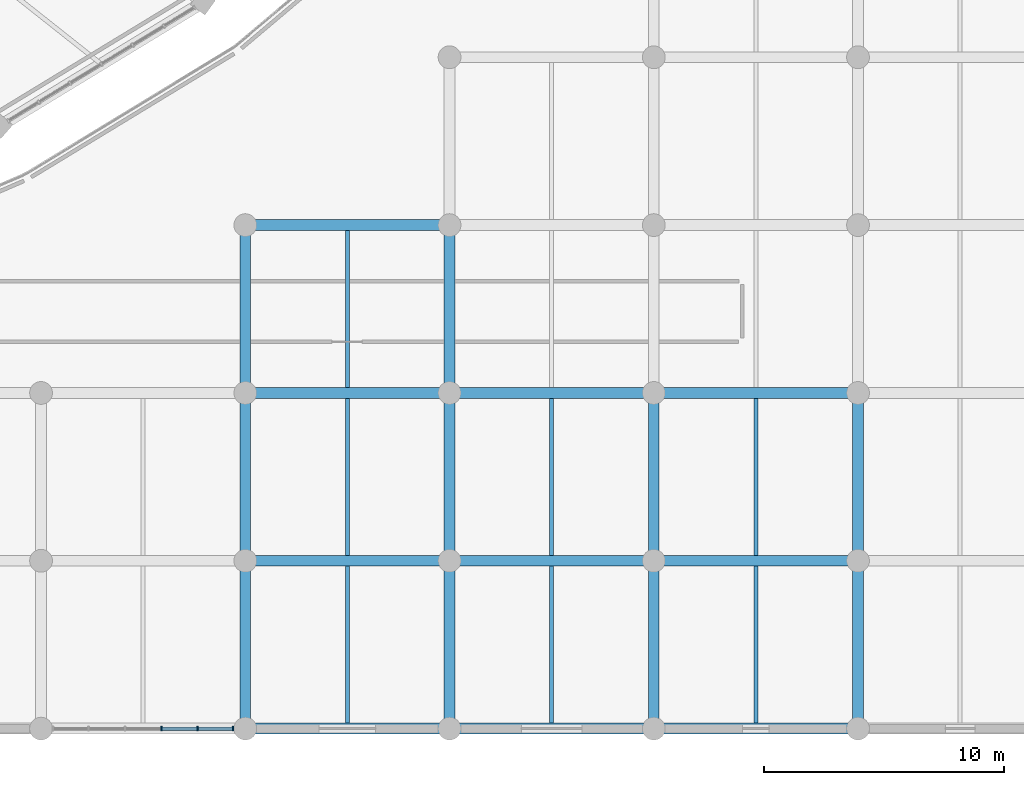
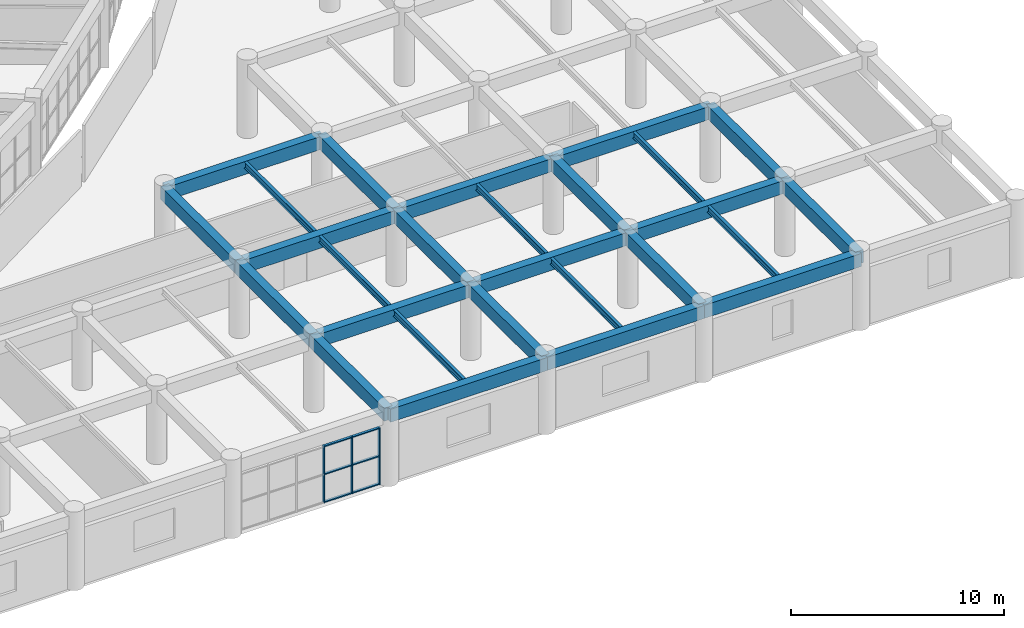
# One storey, part 37 of 141: 27 beams, 9 members, 1 element without a shape of its own.
"""IFC4 building model written with IfcOpenShell, lengths in metres."""

from ifc_helpers import new_model, si_unit, direction, frame, origin, origin_2d, place, context, subcontext, project, spatial, rectangle, i_section, extrude, material, layer, layer_set, material_profile, profile_set, type_object, element, aggregate, save


model = new_model("IFC4")

# Units and contexts
model_context = context("Model", 3, precision=1e-05, world=origin(), true_north=direction((0.0, 1.0)))
body_context = subcontext(model_context, "Body", "Model", "MODEL_VIEW")
ifc_project = project(units=[si_unit("LENGTHUNIT", "METRE"), si_unit("AREAUNIT", "SQUARE_METRE"), si_unit("VOLUMEUNIT", "CUBIC_METRE"), si_unit("PLANEANGLEUNIT", "RADIAN"), si_unit("MASSUNIT", "GRAM", prefix="KILO")], contexts=[model_context])

# Site, building, storey
site_placement = place(None, origin())
site = spatial("IfcSite", under=ifc_project, at=site_placement, CompositionType="ELEMENT")
building_placement = place(site_placement, origin())
building = spatial("IfcBuilding", under=site, at=building_placement, Name="Mphavela Belvedere Stadium", CompositionType="ELEMENT")
storey_placement = place(building_placement, frame((0.0, 0.0, 14.699951171875)))
storey = spatial("IfcBuildingStorey", under=building, at=storey_placement, Name="L03", CompositionType="ELEMENT", Elevation=14.699951171875)

# Beams
ifc_material_1 = material(Name="Steel S355", Category="steel")
ifc_material_profile_1 = material_profile(ifc_material_1, i_section(OverallWidth=0.169921875, OverallDepth=0.360107421875, WebThickness=0.008056640625, FlangeThickness=0.0126953125, at=origin_2d()), Name="IPE 360")
ifc_profile_set_1 = profile_set([ifc_material_profile_1], Name="Steel S355")
beam_type_1 = type_object("IfcBeamType", Name="BM-JOIST-IPE360", PredefinedType="JOIST", material=ifc_profile_set_1)
for number, where, z_axis, x_axis, name in (
    (1, (200.18505859375, 0.22509765625, 4.06005859375), (0.0, 1.0, 0.0), (-1.0, 0.0, 0.0), "South Axial Triumphal Peristyle Portico secondary joist L03 24-1"),
    (2, (200.18505859375, 7.22509765625, 4.06005859375), (0.0, 1.0, 0.0), (-1.0, 0.0, 0.0), "South Axial Triumphal Peristyle Portico secondary joist L03 24-2"),
    (3, (200.18505859375, 14.22509765625, 4.06005859375), (0.0, 1.0, 0.0), (-1.0, 0.0, 0.0), "South Axial Triumphal Peristyle Portico secondary joist L03 24-3"),
    (4, (208.70361328125, 0.22509765625, 4.06005859375), (0.0, 1.0, 0.0), (-1.0, 0.0, 0.0), "South Axial Triumphal Peristyle Portico secondary joist L03 25-1"),
    (5, (208.70361328125, 7.22509765625, 4.06005859375), (0.0, 1.0, 0.0), (-1.0, 0.0, 0.0), "South Axial Triumphal Peristyle Portico secondary joist L03 25-2"),
    (6, (217.221923828125, 0.22509765625, 4.06005859375), (0.0, 1.0, 0.0), (-1.0, 0.0, 0.0), "South Axial Triumphal Peristyle Portico secondary joist L03 26-1"),
    (7, (217.221923828125, 7.22509765625, 4.06005859375), (0.0, 1.0, 0.0), (-1.0, 0.0, 0.0), "South Axial Triumphal Peristyle Portico secondary joist L03 26-2"),
):
    element("IfcBeam", number, at=place(storey_placement, frame(where, z_axis=z_axis, x_axis=x_axis)), inside=storey, type_object=beam_type_1, Name=name, PredefinedType="JOIST", context=body_context, shape_type="SweptSolid", body=[
        extrude(i_section(OverallWidth=0.169921875, OverallDepth=0.360107421875, WebThickness=0.008056640625, FlangeThickness=0.0126953125, at=origin_2d()), origin(), (0.0, 0.0, 1.0), 6.5498046875),
    ])
ifc_material_2 = material(Name="Concrete C40/50", Category="concrete")
ifc_material_profile_2 = material_profile(ifc_material_2, rectangle(XDim=0.449951171875, YDim=0.75, at=origin_2d()), Name="RC 450x750")
ifc_profile_set_2 = profile_set([ifc_material_profile_2], Name="Concrete C40/50")
beam_type_2 = type_object("IfcBeamType", Name="BM-RC450x750", PredefinedType="BEAM", material=ifc_profile_set_2)
beam_1_placement = place(storey_placement, frame((195.926025390625, 0.0, 3.864990234375), z_axis=(1.0, 0.0, 0.0), x_axis=(0.0, 1.0, 0.0)))
element("IfcBeam", 8, at=beam_1_placement, inside=storey, type_object=beam_type_2, Name="South Axial Triumphal Peristyle Portico entablature beam X L03 24-1", PredefinedType="BEAM", context=body_context, shape_type="SweptSolid", body=[
    extrude(rectangle(XDim=0.449951171875, YDim=0.75, at=origin_2d()), origin(), (0.0, 0.0, 1.0), 8.51806640625),
])
beam_2_placement = place(storey_placement, frame((195.926025390625, 0.0, 3.864990234375), z_axis=(0.0, 1.0, 0.0), x_axis=(-1.0, 0.0, 0.0)))
element("IfcBeam", 9, at=beam_2_placement, inside=storey, type_object=beam_type_2, Name="South Axial Triumphal Peristyle Portico entablature beam Y L03 24-1", PredefinedType="BEAM", context=body_context, shape_type="SweptSolid", body=[
    extrude(rectangle(XDim=0.449951171875, YDim=0.75, at=origin_2d()), origin(), (0.0, 0.0, 1.0), 7.0),
])
beam_3_placement = place(storey_placement, frame((195.926025390625, 7.0, 3.864990234375), z_axis=(1.0, 0.0, 0.0), x_axis=(0.0, 1.0, 0.0)))
element("IfcBeam", 10, at=beam_3_placement, inside=storey, type_object=beam_type_2, Name="South Axial Triumphal Peristyle Portico entablature beam X L03 24-2", PredefinedType="BEAM", context=body_context, shape_type="SweptSolid", body=[
    extrude(rectangle(XDim=0.449951171875, YDim=0.75, at=origin_2d()), origin(), (0.0, 0.0, 1.0), 8.51806640625),
])
beam_4_placement = place(storey_placement, frame((195.926025390625, 7.0, 3.864990234375), z_axis=(0.0, 1.0, 0.0), x_axis=(-1.0, 0.0, 0.0)))
element("IfcBeam", 11, at=beam_4_placement, inside=storey, type_object=beam_type_2, Name="South Axial Triumphal Peristyle Portico entablature beam Y L03 24-2", PredefinedType="BEAM", context=body_context, shape_type="SweptSolid", body=[
    extrude(rectangle(XDim=0.449951171875, YDim=0.75, at=origin_2d()), origin(), (0.0, 0.0, 1.0), 7.0),
])
beam_5_placement = place(storey_placement, frame((195.926025390625, 14.0, 3.864990234375), z_axis=(1.0, 0.0, 0.0), x_axis=(0.0, 1.0, 0.0)))
element("IfcBeam", 12, at=beam_5_placement, inside=storey, type_object=beam_type_2, Name="South Axial Triumphal Peristyle Portico entablature beam X L03 24-3", PredefinedType="BEAM", context=body_context, shape_type="SweptSolid", body=[
    extrude(rectangle(XDim=0.449951171875, YDim=0.75, at=origin_2d()), origin(), (0.0, 0.0, 1.0), 8.51806640625),
])
beam_6_placement = place(storey_placement, frame((195.926025390625, 14.0, 3.864990234375), z_axis=(0.0, 1.0, 0.0), x_axis=(-1.0, 0.0, 0.0)))
element("IfcBeam", 13, at=beam_6_placement, inside=storey, type_object=beam_type_2, Name="South Axial Triumphal Peristyle Portico entablature beam Y L03 24-3", PredefinedType="BEAM", context=body_context, shape_type="SweptSolid", body=[
    extrude(rectangle(XDim=0.449951171875, YDim=0.75, at=origin_2d()), origin(), (0.0, 0.0, 1.0), 7.0),
])
beam_7_placement = place(storey_placement, frame((195.926025390625, 21.0, 3.864990234375), z_axis=(1.0, 0.0, 0.0), x_axis=(0.0, 1.0, 0.0)))
element("IfcBeam", 14, at=beam_7_placement, inside=storey, type_object=beam_type_2, Name="South Axial Triumphal Peristyle Portico entablature beam X L03 24-4", PredefinedType="BEAM", context=body_context, shape_type="SweptSolid", body=[
    extrude(rectangle(XDim=0.449951171875, YDim=0.75, at=origin_2d()), origin(), (0.0, 0.0, 1.0), 8.51806640625),
])
beam_8_placement = place(storey_placement, frame((204.444091796875, 0.0, 3.864990234375), z_axis=(1.0, 0.0, 0.0), x_axis=(0.0, 1.0, 0.0)))
element("IfcBeam", 15, at=beam_8_placement, inside=storey, type_object=beam_type_2, Name="South Axial Triumphal Peristyle Portico entablature beam X L03 25-1", PredefinedType="BEAM", context=body_context, shape_type="SweptSolid", body=[
    extrude(rectangle(XDim=0.449951171875, YDim=0.75, at=origin_2d()), origin(), (0.0, 0.0, 1.0), 8.518798828125),
])
beam_9_placement = place(storey_placement, frame((204.444091796875, 0.0, 3.864990234375), z_axis=(0.0, 1.0, 0.0), x_axis=(-1.0, 0.0, 0.0)))
element("IfcBeam", 16, at=beam_9_placement, inside=storey, type_object=beam_type_2, Name="South Axial Triumphal Peristyle Portico entablature beam Y L03 25-1", PredefinedType="BEAM", context=body_context, shape_type="SweptSolid", body=[
    extrude(rectangle(XDim=0.449951171875, YDim=0.75, at=origin_2d()), origin(), (0.0, 0.0, 1.0), 7.0),
])
beam_10_placement = place(storey_placement, frame((204.444091796875, 7.0, 3.864990234375), z_axis=(1.0, 0.0, 0.0), x_axis=(0.0, 1.0, 0.0)))
element("IfcBeam", 17, at=beam_10_placement, inside=storey, type_object=beam_type_2, Name="South Axial Triumphal Peristyle Portico entablature beam X L03 25-2", PredefinedType="BEAM", context=body_context, shape_type="SweptSolid", body=[
    extrude(rectangle(XDim=0.449951171875, YDim=0.75, at=origin_2d()), origin(), (0.0, 0.0, 1.0), 8.518798828125),
])
beam_11_placement = place(storey_placement, frame((204.444091796875, 7.0, 3.864990234375), z_axis=(0.0, 1.0, 0.0), x_axis=(-1.0, 0.0, 0.0)))
element("IfcBeam", 18, at=beam_11_placement, inside=storey, type_object=beam_type_2, Name="South Axial Triumphal Peristyle Portico entablature beam Y L03 25-2", PredefinedType="BEAM", context=body_context, shape_type="SweptSolid", body=[
    extrude(rectangle(XDim=0.449951171875, YDim=0.75, at=origin_2d()), origin(), (0.0, 0.0, 1.0), 7.0),
])
beam_12_placement = place(storey_placement, frame((204.444091796875, 14.0, 3.864990234375), z_axis=(1.0, 0.0, 0.0), x_axis=(0.0, 1.0, 0.0)))
element("IfcBeam", 19, at=beam_12_placement, inside=storey, type_object=beam_type_2, Name="South Axial Triumphal Peristyle Portico entablature beam X L03 25-3", PredefinedType="BEAM", context=body_context, shape_type="SweptSolid", body=[
    extrude(rectangle(XDim=0.449951171875, YDim=0.75, at=origin_2d()), origin(), (0.0, 0.0, 1.0), 8.518798828125),
])
beam_13_placement = place(storey_placement, frame((204.444091796875, 14.0, 3.864990234375), z_axis=(0.0, 1.0, 0.0), x_axis=(-1.0, 0.0, 0.0)))
element("IfcBeam", 20, at=beam_13_placement, inside=storey, type_object=beam_type_2, Name="South Axial Triumphal Peristyle Portico entablature beam Y L03 25-3", PredefinedType="BEAM", context=body_context, shape_type="SweptSolid", body=[
    extrude(rectangle(XDim=0.449951171875, YDim=0.75, at=origin_2d()), origin(), (0.0, 0.0, 1.0), 7.0),
])
beam_14_placement = place(storey_placement, frame((212.962890625, 0.0, 3.864990234375), z_axis=(1.0, 0.0, 0.0), x_axis=(0.0, 1.0, 0.0)))
element("IfcBeam", 21, at=beam_14_placement, inside=storey, type_object=beam_type_2, Name="South Axial Triumphal Peristyle Portico entablature beam X L03 26-1", PredefinedType="BEAM", context=body_context, shape_type="SweptSolid", body=[
    extrude(rectangle(XDim=0.449951171875, YDim=0.75, at=origin_2d()), origin(), (0.0, 0.0, 1.0), 8.51806640625),
])
beam_15_placement = place(storey_placement, frame((212.962890625, 0.0, 3.864990234375), z_axis=(0.0, 1.0, 0.0), x_axis=(-1.0, 0.0, 0.0)))
element("IfcBeam", 22, at=beam_15_placement, inside=storey, type_object=beam_type_2, Name="South Axial Triumphal Peristyle Portico entablature beam Y L03 26-1", PredefinedType="BEAM", context=body_context, shape_type="SweptSolid", body=[
    extrude(rectangle(XDim=0.449951171875, YDim=0.75, at=origin_2d()), origin(), (0.0, 0.0, 1.0), 7.0),
])
beam_16_placement = place(storey_placement, frame((212.962890625, 7.0, 3.864990234375), z_axis=(1.0, 0.0, 0.0), x_axis=(0.0, 1.0, 0.0)))
element("IfcBeam", 23, at=beam_16_placement, inside=storey, type_object=beam_type_2, Name="South Axial Triumphal Peristyle Portico entablature beam X L03 26-2", PredefinedType="BEAM", context=body_context, shape_type="SweptSolid", body=[
    extrude(rectangle(XDim=0.449951171875, YDim=0.75, at=origin_2d()), origin(), (0.0, 0.0, 1.0), 8.51806640625),
])
beam_17_placement = place(storey_placement, frame((212.962890625, 7.0, 3.864990234375), z_axis=(0.0, 1.0, 0.0), x_axis=(-1.0, 0.0, 0.0)))
element("IfcBeam", 24, at=beam_17_placement, inside=storey, type_object=beam_type_2, Name="South Axial Triumphal Peristyle Portico entablature beam Y L03 26-2", PredefinedType="BEAM", context=body_context, shape_type="SweptSolid", body=[
    extrude(rectangle(XDim=0.449951171875, YDim=0.75, at=origin_2d()), origin(), (0.0, 0.0, 1.0), 7.0),
])
beam_18_placement = place(storey_placement, frame((212.962890625, 14.0, 3.864990234375), z_axis=(1.0, 0.0, 0.0), x_axis=(0.0, 1.0, 0.0)))
element("IfcBeam", 25, at=beam_18_placement, inside=storey, type_object=beam_type_2, Name="South Axial Triumphal Peristyle Portico entablature beam X L03 26-3", PredefinedType="BEAM", context=body_context, shape_type="SweptSolid", body=[
    extrude(rectangle(XDim=0.449951171875, YDim=0.75, at=origin_2d()), origin(), (0.0, 0.0, 1.0), 8.51806640625),
])
for number, where, z_axis, x_axis, name in (
    (26, (221.48095703125, 0.0, 3.864990234375), (0.0, 1.0, 0.0), (-1.0, 0.0, 0.0), "South Axial Triumphal Peristyle Portico entablature beam Y L03 27-1"),
    (27, (221.48095703125, 7.0, 3.864990234375), (0.0, 1.0, 0.0), (-1.0, 0.0, 0.0), "South Axial Triumphal Peristyle Portico entablature beam Y L03 27-2"),
):
    element("IfcBeam", number, at=place(storey_placement, frame(where, z_axis=z_axis, x_axis=x_axis)), inside=storey, type_object=beam_type_2, Name=name, PredefinedType="BEAM", context=body_context, shape_type="SweptSolid", body=[
        extrude(rectangle(XDim=0.449951171875, YDim=0.75, at=origin_2d()), origin(), (0.0, 0.0, 1.0), 7.0),
    ])

# Curtain wall, members
ifc_material_3 = material(Name="Anodised bronze unitised curtain wall framing")
ifc_layer = layer(ifc_material_3, 0.18505859375)
ifc_layer_set = layer_set([ifc_layer], Name="Anodised bronze unitised curtain wall framing")
curtain_wall_type = type_object("IfcCurtainWallType", Name="CW-UNIT-02", PredefinedType="USERDEFINED", material=ifc_layer_set)
curtain_wall_placement = place(storey_placement, origin())
curtain_wall = element("IfcCurtainWall", 28, at=curtain_wall_placement, inside=storey, type_object=curtain_wall_type, Name="South Axial Triumphal Peristyle Portico gallery curtain wall L03-23", ObjectType="UNITISED CURTAIN WALL", PredefinedType="USERDEFINED")
ifc_material_4 = material(Name="Anodised bronze extruded aluminium", Category="aluminium")
ifc_material_profile_3 = material_profile(ifc_material_4, rectangle(XDim=0.179931640625, YDim=0.06494140625, at=origin_2d()), Name="CW-MUL 180x65")
ifc_profile_set_3 = profile_set([ifc_material_profile_3], Name="Anodised bronze extruded aluminium")
member_type_1 = type_object("IfcMemberType", Name="CWM-180x65", PredefinedType="MULLION", material=ifc_profile_set_3)
member_1_placement = place(storey_placement, frame((195.42041015625, 0.0, 0.0), z_axis=(0.0, 0.0, 1.0), x_axis=(0.0, -1.0, 0.0)))
member_1 = element("IfcMember", 29, at=member_1_placement, type_object=member_type_1, Name="CW-02 mullion 1", PredefinedType="MULLION", context=body_context, shape_type="SweptSolid", body=[
    extrude(rectangle(XDim=0.179931640625, YDim=0.06494140625, at=origin_2d()), origin(), (0.0, 0.0, 1.0), 3.260009765625),
])
member_2_placement = place(storey_placement, frame((193.9384765625, 0.0, 0.0), z_axis=(0.0, 0.0, 1.0), x_axis=(0.0, -1.0, 0.0)))
member_2 = element("IfcMember", 30, at=member_2_placement, type_object=member_type_1, Name="CW-02 mullion 2", PredefinedType="MULLION", context=body_context, shape_type="SweptSolid", body=[
    extrude(rectangle(XDim=0.179931640625, YDim=0.06494140625, at=origin_2d()), origin(), (0.0, 0.0, 1.0), 3.260009765625),
])
member_3_placement = place(storey_placement, frame((192.423828125, 0.0, 0.0), z_axis=(0.0, 0.0, 1.0), x_axis=(0.0, -1.0, 0.0)))
member_3 = element("IfcMember", 31, at=member_3_placement, type_object=member_type_1, Name="CW-02 mullion 3", PredefinedType="MULLION", context=body_context, shape_type="SweptSolid", body=[
    extrude(rectangle(XDim=0.179931640625, YDim=0.06494140625, at=origin_2d()), origin(), (0.0, 0.0, 1.0), 3.260009765625),
])
ifc_material_5 = material(Name="Anodised bronze extruded aluminium", Category="aluminium")
ifc_material_profile_4 = material_profile(ifc_material_5, rectangle(XDim=0.139892578125, YDim=0.06005859375, at=origin_2d()), Name="CW-TRN 140x60")
ifc_profile_set_4 = profile_set([ifc_material_profile_4], Name="Anodised bronze extruded aluminium")
member_type_2 = type_object("IfcMemberType", Name="CWT-140x60", PredefinedType="USERDEFINED", material=ifc_profile_set_4)
member_4_placement = place(storey_placement, frame((195.387939453125, 0.0, 0.030029296875), z_axis=(-1.0, 0.0, 0.0), x_axis=(0.0, -1.0, 0.0)))
member_4 = element("IfcMember", 32, at=member_4_placement, type_object=member_type_2, Name="CW-02 transom 1.1", ObjectType="TRANSOM", PredefinedType="USERDEFINED", context=body_context, shape_type="SweptSolid", body=[
    extrude(rectangle(XDim=0.139892578125, YDim=0.06005859375, at=origin_2d()), origin(), (0.0, 0.0, 1.0), 1.4169921875),
])
member_5_placement = place(storey_placement, frame((195.387939453125, 0.0, 1.630126953125), z_axis=(-1.0, 0.0, 0.0), x_axis=(0.0, -1.0, 0.0)))
member_5 = element("IfcMember", 33, at=member_5_placement, type_object=member_type_2, Name="CW-02 transom 1.2", ObjectType="TRANSOM", PredefinedType="USERDEFINED", context=body_context, shape_type="SweptSolid", body=[
    extrude(rectangle(XDim=0.139892578125, YDim=0.06005859375, at=origin_2d()), origin(), (0.0, 0.0, 1.0), 1.4169921875),
])
member_6_placement = place(storey_placement, frame((195.387939453125, 0.0, 3.22998046875), z_axis=(-1.0, 0.0, 0.0), x_axis=(0.0, -1.0, 0.0)))
member_6 = element("IfcMember", 34, at=member_6_placement, type_object=member_type_2, Name="CW-02 transom 1.3", ObjectType="TRANSOM", PredefinedType="USERDEFINED", context=body_context, shape_type="SweptSolid", body=[
    extrude(rectangle(XDim=0.139892578125, YDim=0.06005859375, at=origin_2d()), origin(), (0.0, 0.0, 1.0), 1.4169921875),
])
member_7_placement = place(storey_placement, frame((193.906005859375, 0.0, 0.030029296875), z_axis=(-1.0, 0.0, 0.0), x_axis=(0.0, -1.0, 0.0)))
member_7 = element("IfcMember", 35, at=member_7_placement, type_object=member_type_2, Name="CW-02 transom 2.1", ObjectType="TRANSOM", PredefinedType="USERDEFINED", context=body_context, shape_type="SweptSolid", body=[
    extrude(rectangle(XDim=0.139892578125, YDim=0.06005859375, at=origin_2d()), origin(), (0.0, 0.0, 1.0), 1.44970703125),
])
member_8_placement = place(storey_placement, frame((193.906005859375, 0.0, 1.630126953125), z_axis=(-1.0, 0.0, 0.0), x_axis=(0.0, -1.0, 0.0)))
member_8 = element("IfcMember", 36, at=member_8_placement, type_object=member_type_2, Name="CW-02 transom 2.2", ObjectType="TRANSOM", PredefinedType="USERDEFINED", context=body_context, shape_type="SweptSolid", body=[
    extrude(rectangle(XDim=0.139892578125, YDim=0.06005859375, at=origin_2d()), origin(), (0.0, 0.0, 1.0), 1.44970703125),
])
member_9_placement = place(storey_placement, frame((193.906005859375, 0.0, 3.22998046875), z_axis=(-1.0, 0.0, 0.0), x_axis=(0.0, -1.0, 0.0)))
member_9 = element("IfcMember", 37, at=member_9_placement, type_object=member_type_2, Name="CW-02 transom 2.3", ObjectType="TRANSOM", PredefinedType="USERDEFINED", context=body_context, shape_type="SweptSolid", body=[
    extrude(rectangle(XDim=0.139892578125, YDim=0.06005859375, at=origin_2d()), origin(), (0.0, 0.0, 1.0), 1.44970703125),
])
aggregate(curtain_wall, [member_1, member_2, member_3, member_4, member_5, member_6, member_7, member_8, member_9])

save(model, "model.ifc")
